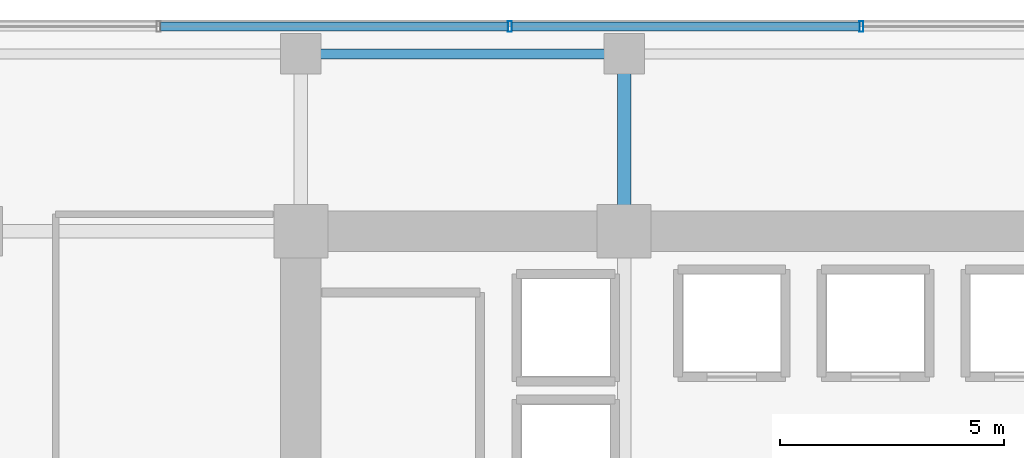
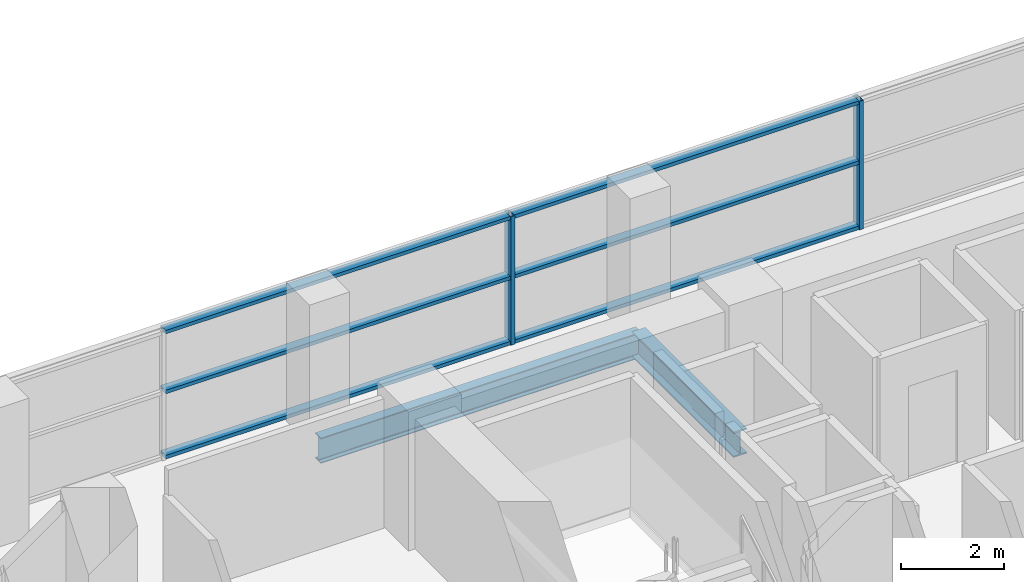
# One storey, part 14 of 26: 8 members, 2 beams, 1 element without a shape of its own.
"""IFC4 building model written with IfcOpenShell, lengths in metres."""

from ifc_helpers import new_model, si_unit, direction, frame, origin, origin_2d, place, context, subcontext, project, spatial, hollow_rectangle, i_section, extrude, source, transform, mapped, material, layer, layer_set, material_profile, profile_set, type_object, element, aggregate, save


model = new_model("IFC4")

# Units and contexts
model_context = context("Model", 3, precision=1e-05, world=origin(), true_north=direction((0.0, 1.0)))
body_context = subcontext(model_context, "Body", "Model", "MODEL_VIEW")
ifc_project = project(units=[si_unit("LENGTHUNIT", "METRE"), si_unit("AREAUNIT", "SQUARE_METRE"), si_unit("VOLUMEUNIT", "CUBIC_METRE"), si_unit("PLANEANGLEUNIT", "RADIAN"), si_unit("MASSUNIT", "GRAM", prefix="KILO")], contexts=[model_context])

# Site, building, storey
site_placement = place(None, origin())
site = spatial("IfcSite", under=ifc_project, at=site_placement, CompositionType="ELEMENT")
building_placement = place(site_placement, origin())
building = spatial("IfcBuilding", under=site, at=building_placement, Name="Zarnakvel Exchange Tower", CompositionType="ELEMENT")
storey_placement = place(building_placement, frame((0.0, 0.0, 63.699951171875)))
storey = spatial("IfcBuildingStorey", under=building, at=storey_placement, Name="L17", CompositionType="ELEMENT", Elevation=63.699951171875)

# Beams
ifc_material_1 = material(Name="Steel S355", Category="steel")
ifc_material_profile_1 = material_profile(ifc_material_1, i_section(OverallWidth=0.300048828125, OverallDepth=0.60009765625, WebThickness=0.015380859375, FlangeThickness=0.030029296875, FilletRadius=0.027099609375, at=origin_2d()))
ifc_profile_set_1 = profile_set([ifc_material_profile_1], Name="Steel S355")
beam_type_1 = type_object("IfcBeamType", Name="G-04", PredefinedType="BEAM", material=ifc_profile_set_1)
beam_1_placement = place(storey_placement, frame((-7.199951171875, 13.5, -0.52490234375), z_axis=(0.0, 1.0, 0.0), x_axis=(-1.0, 0.0, 0.0)))
element("IfcBeam", 1, at=beam_1_placement, inside=storey, type_object=beam_type_1, Name="L17 Tower N-S Frame Beam", PredefinedType="BEAM", context=body_context, shape_type="SweptSolid", body=[
    extrude(i_section(OverallWidth=0.300048828125, OverallDepth=0.60009765625, WebThickness=0.015380859375, FlangeThickness=0.030029296875, FilletRadius=0.027099609375, at=origin_2d()), origin(), (0.0, 0.0, 1.0), 3.949951171875),
])
ifc_material_profile_2 = material_profile(ifc_material_1, i_section(OverallWidth=0.219970703125, OverallDepth=0.60009765625, WebThickness=0.011962890625, FlangeThickness=0.01904296875, FilletRadius=0.02392578125, at=origin_2d()))
ifc_profile_set_2 = profile_set([ifc_material_profile_2], Name="Steel S355")
beam_type_2 = type_object("IfcBeamType", Name="SP-01", PredefinedType="SPANDREL", material=ifc_profile_set_2)
beam_2_placement = place(storey_placement, frame((-14.39990234375, 17.449951171875, -0.52490234375), z_axis=(1.0, 0.0, 0.0), x_axis=(0.0, 1.0, 0.0)))
element("IfcBeam", 2, at=beam_2_placement, inside=storey, type_object=beam_type_2, Name="L17 Tower E-W Frame Beam", PredefinedType="SPANDREL", context=body_context, shape_type="SweptSolid", body=[
    extrude(i_section(OverallWidth=0.219970703125, OverallDepth=0.60009765625, WebThickness=0.011962890625, FlangeThickness=0.01904296875, FilletRadius=0.02392578125, at=origin_2d()), origin(), (0.0, 0.0, 1.0), 7.199951171875),
])

# Curtain wall, members
ifc_material_2 = material(Name="Architectural Bronze Anodised Aluminium", Category="aluminium")
ifc_layer = layer(ifc_material_2, 0.239990234375)
ifc_layer_set = layer_set([ifc_layer], Name="Architectural Bronze Anodised Aluminium")
curtain_wall_type = type_object("IfcCurtainWallType", Name="CW-02", PredefinedType="NOTDEFINED", material=ifc_layer_set)
curtain_wall_placement = place(storey_placement, origin())
curtain_wall = element("IfcCurtainWall", 3, at=curtain_wall_placement, inside=storey, type_object=curtain_wall_type, Name="L17 Curtain Wall CW-L17-N1 (CW-02)", PredefinedType="NOTDEFINED")
ifc_material_profile_3 = material_profile(ifc_material_2, hollow_rectangle(XDim=0.199951171875, YDim=0.0849609375, WallThickness=0.0048828125, at=origin_2d()))
ifc_profile_set_3 = profile_set([ifc_material_profile_3], Name="Architectural Bronze Anodised Aluminium")
member_type_1 = type_object("IfcMemberType", Name="CWT-02", PredefinedType="USERDEFINED", material=ifc_profile_set_3)
shared_shape_1 = source(origin(), body_context, "Body", "SweptSolid", [
    extrude(hollow_rectangle(XDim=0.199951171875, YDim=0.0849609375, WallThickness=0.0048828125, at=origin_2d()), origin(), (0.0, 0.0, 1.0), 7.738525390625),
])
member_1_placement = place(storey_placement, frame((-17.5263671875, 18.06005859375, 0.04248046875), z_axis=(1.0, 0.0, 0.0), x_axis=(0.0, 1.0, 0.0)))
member_1 = element("IfcMember", 4, at=member_1_placement, type_object=member_type_1, Name="CW-02 transom 2.1", ObjectType="TRANSOM", PredefinedType="USERDEFINED", context=body_context, shape_type="MappedRepresentation", body=[
    mapped(shared_shape_1, transform((0.0, 0.0, 0.0), x_axis=(1.0, 0.0, 0.0), y_axis=(0.0, 1.0, 0.0), z_axis=(0.0, 0.0, 1.0), scale=1.0)),
])
member_2_placement = place(storey_placement, frame((-17.5263671875, 18.06005859375, 1.588623046875), z_axis=(1.0, 0.0, 0.0), x_axis=(0.0, 1.0, 0.0)))
member_2 = element("IfcMember", 5, at=member_2_placement, type_object=member_type_1, Name="CW-02 transom 2.2", ObjectType="TRANSOM", PredefinedType="USERDEFINED", context=body_context, shape_type="MappedRepresentation", body=[
    mapped(shared_shape_1, transform((0.0, 0.0, 0.0), x_axis=(1.0, 0.0, 0.0), y_axis=(0.0, 1.0, 0.0), z_axis=(0.0, 0.0, 1.0), scale=1.0)),
])
member_3_placement = place(storey_placement, frame((-17.5263671875, 18.06005859375, 3.012451171875), z_axis=(1.0, 0.0, 0.0), x_axis=(0.0, 1.0, 0.0)))
member_3 = element("IfcMember", 6, at=member_3_placement, type_object=member_type_1, Name="CW-02 transom 2.3", ObjectType="TRANSOM", PredefinedType="USERDEFINED", context=body_context, shape_type="MappedRepresentation", body=[
    mapped(shared_shape_1, transform((0.0, 0.0, 0.0), x_axis=(1.0, 0.0, 0.0), y_axis=(0.0, 1.0, 0.0), z_axis=(0.0, 0.0, 1.0), scale=1.0)),
])
member_4_placement = place(storey_placement, frame((-9.69775390625, 18.06005859375, 0.04248046875), z_axis=(1.0, 0.0, 0.0), x_axis=(0.0, 1.0, 0.0)))
member_4 = element("IfcMember", 7, at=member_4_placement, type_object=member_type_1, Name="CW-02 transom 3.1", ObjectType="TRANSOM", PredefinedType="USERDEFINED", context=body_context, shape_type="MappedRepresentation", body=[
    mapped(shared_shape_1, transform((0.0, 0.0, 0.0), x_axis=(1.0, 0.0, 0.0), y_axis=(0.0, 1.0, 0.0), z_axis=(0.0, 0.0, 1.0), scale=1.0)),
])
member_5_placement = place(storey_placement, frame((-9.69775390625, 18.06005859375, 1.588623046875), z_axis=(1.0, 0.0, 0.0), x_axis=(0.0, 1.0, 0.0)))
member_5 = element("IfcMember", 8, at=member_5_placement, type_object=member_type_1, Name="CW-02 transom 3.2", ObjectType="TRANSOM", PredefinedType="USERDEFINED", context=body_context, shape_type="MappedRepresentation", body=[
    mapped(shared_shape_1, transform((0.0, 0.0, 0.0), x_axis=(1.0, 0.0, 0.0), y_axis=(0.0, 1.0, 0.0), z_axis=(0.0, 0.0, 1.0), scale=1.0)),
])
member_6_placement = place(storey_placement, frame((-9.69775390625, 18.06005859375, 3.012451171875), z_axis=(1.0, 0.0, 0.0), x_axis=(0.0, 1.0, 0.0)))
member_6 = element("IfcMember", 9, at=member_6_placement, type_object=member_type_1, Name="CW-02 transom 3.3", ObjectType="TRANSOM", PredefinedType="USERDEFINED", context=body_context, shape_type="MappedRepresentation", body=[
    mapped(shared_shape_1, transform((0.0, 0.0, 0.0), x_axis=(1.0, 0.0, 0.0), y_axis=(0.0, 1.0, 0.0), z_axis=(0.0, 0.0, 1.0), scale=1.0)),
])
ifc_material_profile_4 = material_profile(ifc_material_2, hollow_rectangle(XDim=0.239990234375, YDim=0.090087890625, WallThickness=0.006103515625, at=origin_2d()))
ifc_profile_set_4 = profile_set([ifc_material_profile_4], Name="Architectural Bronze Anodised Aluminium")
member_type_2 = type_object("IfcMemberType", Name="CWM-02", PredefinedType="MULLION", material=ifc_profile_set_4)
shared_shape_2 = source(origin(), body_context, "Body", "SweptSolid", [
    extrude(hollow_rectangle(XDim=0.239990234375, YDim=0.090087890625, WallThickness=0.006103515625, at=origin_2d()), origin(), (0.0, 0.0, 1.0), 3.054931640625),
])
member_7_placement = place(storey_placement, frame((-9.742919921875, 18.06005859375, 0.0), z_axis=(0.0, 0.0, 1.0), x_axis=(0.0, 1.0, 0.0)))
member_7 = element("IfcMember", 10, at=member_7_placement, type_object=member_type_2, Name="CW-02 mullion 3", PredefinedType="MULLION", context=body_context, shape_type="MappedRepresentation", body=[
    mapped(shared_shape_2, transform((0.0, 0.0, 0.0), x_axis=(1.0, 0.0, 0.0), y_axis=(0.0, 1.0, 0.0), z_axis=(0.0, 0.0, 1.0), scale=1.0)),
])
member_8_placement = place(storey_placement, frame((-1.914306640625, 18.06005859375, 0.0), z_axis=(0.0, 0.0, 1.0), x_axis=(0.0, 1.0, 0.0)))
member_8 = element("IfcMember", 11, at=member_8_placement, type_object=member_type_2, Name="CW-02 mullion 4", PredefinedType="MULLION", context=body_context, shape_type="MappedRepresentation", body=[
    mapped(shared_shape_2, transform((0.0, 0.0, 0.0), x_axis=(1.0, 0.0, 0.0), y_axis=(0.0, 1.0, 0.0), z_axis=(0.0, 0.0, 1.0), scale=1.0)),
])
aggregate(curtain_wall, [member_7, member_8, member_1, member_2, member_3, member_4, member_5, member_6])

save(model, "model.ifc")
